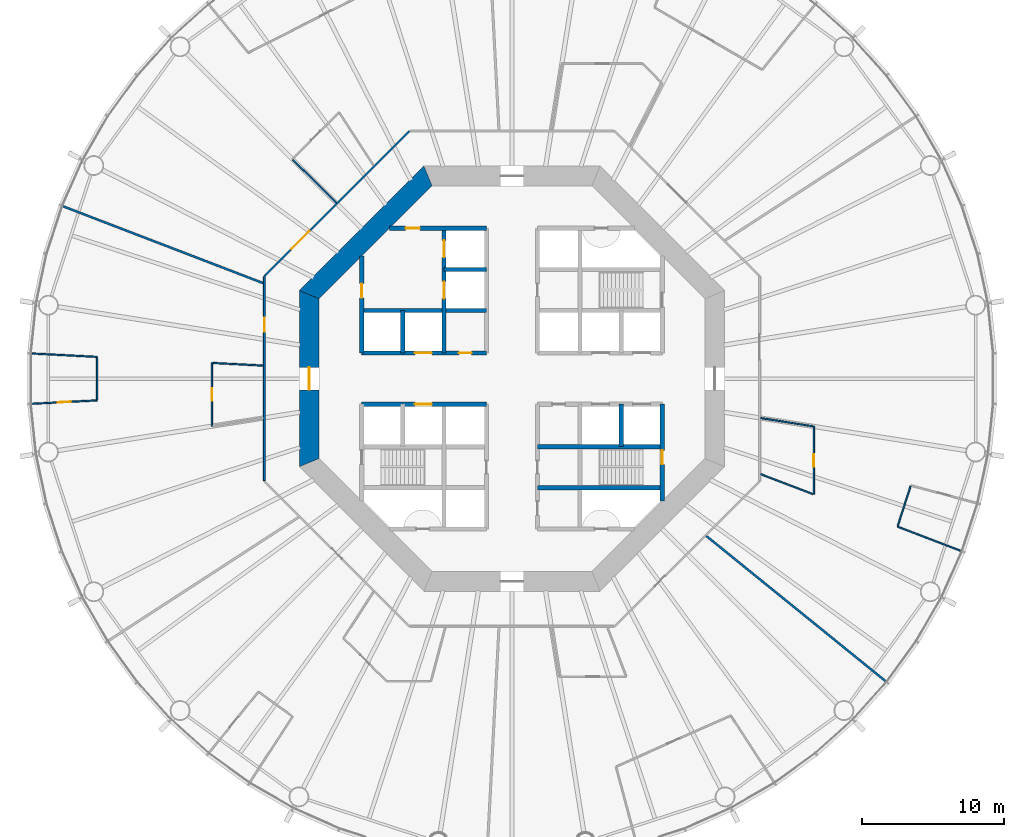
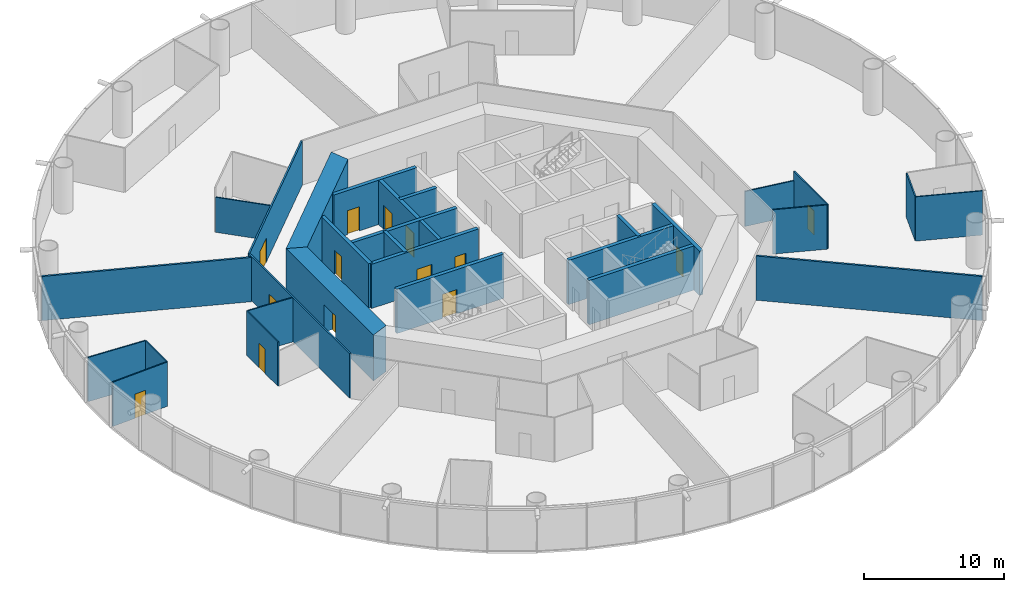
# One storey, part 4 of 13: 29 walls, 14 doors, 14 openings.
"""IFC4 building model written with IfcOpenShell, lengths in metres."""

from ifc_helpers import new_model, si_unit, direction, frame, frame_2d, origin, place, context, subcontext, project, spatial, polyline, rectangle, outline, extrude, material, layer, layer_set, type_object, element, fill, save


model = new_model("IFC4")

# Units and contexts
model_context = context("Model", 3, precision=1e-05, world=origin(), true_north=direction((0.0, 1.0)))
body_context = subcontext(model_context, "Body", "Model", "MODEL_VIEW")
ifc_project = project(units=[si_unit("LENGTHUNIT", "METRE"), si_unit("AREAUNIT", "SQUARE_METRE"), si_unit("VOLUMEUNIT", "CUBIC_METRE"), si_unit("PLANEANGLEUNIT", "RADIAN"), si_unit("MASSUNIT", "GRAM", prefix="KILO")], contexts=[model_context])

# Site, building, storey
site_placement = place(None, origin())
site = spatial("IfcSite", under=ifc_project, at=site_placement, CompositionType="ELEMENT")
building_placement = place(site_placement, origin())
building = spatial("IfcBuilding", under=site, at=building_placement, Name="Entoto Ring Tower", CompositionType="ELEMENT")
storey_placement = place(building_placement, frame((0.0, 0.0, 34.0)))
storey = spatial("IfcBuildingStorey", under=building, at=storey_placement, Name="L06", CompositionType="ELEMENT", Elevation=34.0)

# Wall, opening, door
ifc_material_1 = material(Name="Concrete C40/50", Category="concrete")
ifc_layer_1 = layer(ifc_material_1, 0.300048828125)
ifc_layer_set_1 = layer_set([ifc_layer_1], Name="Concrete C40/50")
wall_type_1 = type_object("IfcWallType", Name="Core enclosure wall 300 mm reinforced concrete", PredefinedType="SOLIDWALL", material=ifc_layer_set_1)
wall_1_placement = place(storey_placement, frame((100.60009765625, 71.36669921875, 0.0), z_axis=(0.0, 0.0, 1.0), x_axis=(0.0, 1.0, 0.0)))
wall_1 = element("IfcWall", 1, at=wall_1_placement, inside=storey, type_object=wall_type_1, Name="wall-L06-001", PredefinedType="SOLIDWALL", context=body_context, shape_type="SweptSolid", body=[
    extrude(rectangle(XDim=6.833251953125, YDim=0.300048828125, at=frame_2d((3.41650390625, 0.0))), origin(), (0.0, 0.0, 1.0), 3.85009765625),
])
opening_1_placement = place(wall_1_placement, frame((2.583251953125, 0.0, 0.0)))
opening_1 = element("IfcOpeningElement", 2, at=opening_1_placement, cuts=wall_1, Name="Opening K-61", PredefinedType="OPENING", context=body_context, shape_type="SweptSolid", body=[
    extrude(rectangle(XDim=1.0, YDim=2.10009765625, at=frame_2d((0.5, 1.050048828125))), frame((0.0, 0.16015625, 0.0), z_axis=(0.0, -1.0, 0.0), x_axis=(1.0, 0.0, 0.0)), (0.0, 0.0, 1.0), 0.320068359375),
])
ifc_material_2 = material(Name="Steel door leaf, fire rated", Category="steel")
ifc_layer_2 = layer(ifc_material_2, 0.050048828125)
ifc_layer_set_2 = layer_set([ifc_layer_2], Name="Steel door leaf, fire rated")
door_type_1 = type_object("IfcDoorType", Name="Fire door FD60 1000 x 2100 single leaf", OperationType="NOTDEFINED", PredefinedType="DOOR", material=ifc_layer_set_2)
door_1_placement = place(opening_1_placement, origin())
door_1 = element("IfcDoor", 3, at=door_1_placement, inside=storey, type_object=door_type_1, Name="Door K-61", OperationType="SINGLE_SWING_RIGHT", OverallHeight=2.10009765625, OverallWidth=1.0, PredefinedType="DOOR", context=body_context, shape_type="SweptSolid", body=[
    extrude(rectangle(XDim=1.0, YDim=2.10009765625, at=frame_2d((0.5, 1.050048828125))), frame((0.0, 0.02490234375, 0.0), z_axis=(0.0, -1.0, 0.0), x_axis=(1.0, 0.0, 0.0)), (0.0, 0.0, 1.0), 0.050048828125),
])
fill(opening_1, door_1)

# Wall
wall_2_placement = place(storey_placement, frame((97.699951171875, 75.199951171875, 0.0), z_axis=(0.0, 0.0, 1.0), x_axis=(0.0, 1.0, 0.0)))
element("IfcWall", 4, at=wall_2_placement, inside=storey, type_object=wall_type_1, Name="wall-L06-003", PredefinedType="SOLIDWALL", context=body_context, shape_type="SweptSolid", body=[
    extrude(rectangle(XDim=3.0, YDim=0.300048828125, at=frame_2d((1.5, 0.0))), origin(), (0.0, 0.0, 1.0), 3.85009765625),
])

# Wall, openings, doors
wall_3_placement = place(storey_placement, frame((85.199951171875, 81.800048828125, 0.0), z_axis=(0.0, 0.0, 1.0), x_axis=(0.0, 1.0, 0.0)))
wall_3 = element("IfcWall", 5, at=wall_3_placement, inside=storey, type_object=wall_type_1, Name="wall-L06-012", PredefinedType="SOLIDWALL", context=body_context, shape_type="SweptSolid", body=[
    extrude(rectangle(XDim=8.800048828125, YDim=0.300048828125, at=frame_2d((4.39990234375, 0.0))), origin(), (0.0, 0.0, 1.0), 3.85009765625),
])
opening_2_placement = place(wall_3_placement, frame((3.85009765625, 0.0, 0.0)))
opening_2 = element("IfcOpeningElement", 6, at=opening_2_placement, cuts=wall_3, Name="Opening LD", PredefinedType="OPENING", context=body_context, shape_type="SweptSolid", body=[
    extrude(rectangle(XDim=1.199951171875, YDim=2.10009765625, at=frame_2d((0.60009765625, 1.050048828125))), frame((0.0, 0.16015625, 0.0), z_axis=(0.0, -1.0, 0.0), x_axis=(1.0, 0.0, 0.0)), (0.0, 0.0, 1.0), 0.320068359375),
])
opening_3_placement = place(wall_3_placement, frame((6.75, 0.0, 0.0)))
opening_3 = element("IfcOpeningElement", 7, at=opening_3_placement, cuts=wall_3, Name="Opening LD", PredefinedType="OPENING", context=body_context, shape_type="SweptSolid", body=[
    extrude(rectangle(XDim=1.199951171875, YDim=2.10009765625, at=frame_2d((0.60009765625, 1.050048828125))), frame((0.0, 0.16015625, 0.0), z_axis=(0.0, -1.0, 0.0), x_axis=(1.0, 0.0, 0.0)), (0.0, 0.0, 1.0), 0.320068359375),
])
ifc_material_3 = material(Name="Steel and glass door leaf", Category="steel")
ifc_layer_3 = layer(ifc_material_3, 0.050048828125)
ifc_layer_set_3 = layer_set([ifc_layer_3], Name="Steel and glass door leaf")
door_type_2 = type_object("IfcDoorType", Name="Landing door 1200 x 2100 sliding", OperationType="DOUBLE_DOOR_SLIDING", PredefinedType="DOOR", material=ifc_layer_set_3)
door_2_placement = place(opening_2_placement, origin())
door_2 = element("IfcDoor", 8, at=door_2_placement, inside=storey, type_object=door_type_2, Name="Landing door FF1", OperationType="SLIDING_TO_RIGHT", OverallHeight=2.10009765625, OverallWidth=1.199951171875, PredefinedType="DOOR", context=body_context, shape_type="SweptSolid", body=[
    extrude(rectangle(XDim=1.199951171875, YDim=2.10009765625, at=frame_2d((0.60009765625, 1.050048828125))), frame((0.0, 0.02490234375, 0.0), z_axis=(0.0, -1.0, 0.0), x_axis=(1.0, 0.0, 0.0)), (0.0, 0.0, 1.0), 0.050048828125),
])
fill(opening_2, door_2)
door_3_placement = place(opening_3_placement, origin())
door_3 = element("IfcDoor", 9, at=door_3_placement, inside=storey, type_object=door_type_2, Name="Landing door FF2", OperationType="SLIDING_TO_RIGHT", OverallHeight=2.10009765625, OverallWidth=1.199951171875, PredefinedType="DOOR", context=body_context, shape_type="SweptSolid", body=[
    extrude(rectangle(XDim=1.199951171875, YDim=2.10009765625, at=frame_2d((0.60009765625, 1.050048828125))), frame((0.0, 0.02490234375, 0.0), z_axis=(0.0, -1.0, 0.0), x_axis=(1.0, 0.0, 0.0)), (0.0, 0.0, 1.0), 0.050048828125),
])
fill(opening_3, door_3)

# Wall
wall_4_placement = place(storey_placement, frame((82.300048828125, 81.800048828125, 0.0), z_axis=(0.0, 0.0, 1.0), x_axis=(0.0, 1.0, 0.0)))
element("IfcWall", 10, at=wall_4_placement, inside=storey, type_object=wall_type_1, Name="wall-L06-014", PredefinedType="SOLIDWALL", context=body_context, shape_type="SweptSolid", body=[
    extrude(rectangle(XDim=3.0, YDim=0.300048828125, at=frame_2d((1.5, 0.0))), origin(), (0.0, 0.0, 1.0), 3.85009765625),
])

# Wall, opening, door
wall_5_placement = place(storey_placement, frame((79.39990234375, 81.800048828125, 0.0), z_axis=(0.0, 0.0, 1.0), x_axis=(0.0, 1.0, 0.0)))
wall_5 = element("IfcWall", 11, at=wall_5_placement, inside=storey, type_object=wall_type_1, Name="wall-L06-016", PredefinedType="SOLIDWALL", context=body_context, shape_type="SweptSolid", body=[
    extrude(rectangle(XDim=6.833251953125, YDim=0.300048828125, at=frame_2d((3.41650390625, 0.0))), origin(), (0.0, 0.0, 1.0), 3.85009765625),
])
opening_4_placement = place(wall_5_placement, frame((3.89990234375, 0.0, 0.0)))
opening_4 = element("IfcOpeningElement", 12, at=opening_4_placement, cuts=wall_5, Name="Opening K-23", PredefinedType="OPENING", context=body_context, shape_type="SweptSolid", body=[
    extrude(rectangle(XDim=1.0, YDim=2.10009765625, at=frame_2d((0.5, 1.050048828125))), frame((0.0, 0.16015625, 0.0), z_axis=(0.0, -1.0, 0.0), x_axis=(1.0, 0.0, 0.0)), (0.0, 0.0, 1.0), 0.320068359375),
])
door_4_placement = place(opening_4_placement, frame((1.0, 0.0, 0.0), z_axis=(0.0, 0.0, 1.0), x_axis=(-1.0, 0.0, 0.0)))
door_4 = element("IfcDoor", 13, at=door_4_placement, inside=storey, type_object=door_type_1, Name="Door K-23", OperationType="SINGLE_SWING_LEFT", OverallHeight=2.10009765625, OverallWidth=1.0, PredefinedType="DOOR", context=body_context, shape_type="SweptSolid", body=[
    extrude(rectangle(XDim=1.0, YDim=2.10009765625, at=frame_2d((0.5, 1.050048828125))), frame((0.0, 0.02490234375, 0.0), z_axis=(0.0, -1.0, 0.0), x_axis=(1.0, 0.0, 0.0)), (0.0, 0.0, 1.0), 0.050048828125),
])
fill(opening_4, door_4)

# Walls
for number, where, z_axis, x_axis, name in (
    (14, (91.800048828125, 72.300048828125, 0.0), (0.0, 0.0, 1.0), (1.0, 0.0, 0.0), "wall-L06-020"),
    (15, (91.800048828125, 75.199951171875, 0.0), (0.0, 0.0, 1.0), (1.0, 0.0, 0.0), "wall-L06-022"),
):
    element("IfcWall", number, at=place(storey_placement, frame(where, z_axis=z_axis, x_axis=x_axis)), inside=storey, type_object=wall_type_1, Name=name, PredefinedType="SOLIDWALL", context=body_context, shape_type="SweptSolid", body=[
        extrude(rectangle(XDim=8.800048828125, YDim=0.300048828125, at=frame_2d((4.39990234375, 0.0))), origin(), (0.0, 0.0, 1.0), 3.85009765625),
    ])

# Wall, opening, door
wall_6_placement = place(storey_placement, frame((79.39990234375, 78.199951171875, 0.0), z_axis=(0.0, 0.0, 1.0), x_axis=(1.0, 0.0, 0.0)))
wall_6 = element("IfcWall", 16, at=wall_6_placement, inside=storey, type_object=wall_type_1, Name="wall-L06-023", PredefinedType="SOLIDWALL", context=body_context, shape_type="SweptSolid", body=[
    extrude(rectangle(XDim=8.800048828125, YDim=0.300048828125, at=frame_2d((4.39990234375, 0.0))), origin(), (0.0, 0.0, 1.0), 3.85009765625),
])
opening_5_placement = place(wall_6_placement, frame((3.75, 0.0, 0.0)))
opening_5 = element("IfcOpeningElement", 17, at=opening_5_placement, cuts=wall_6, Name="Opening LD", PredefinedType="OPENING", context=body_context, shape_type="SweptSolid", body=[
    extrude(rectangle(XDim=1.199951171875, YDim=2.10009765625, at=frame_2d((0.60009765625, 1.050048828125))), frame((0.0, 0.16015625, 0.0), z_axis=(0.0, -1.0, 0.0), x_axis=(1.0, 0.0, 0.0)), (0.0, 0.0, 1.0), 0.320068359375),
])
door_5_placement = place(opening_5_placement, origin())
door_5 = element("IfcDoor", 18, at=door_5_placement, inside=storey, type_object=door_type_2, Name="Landing door LB6-LR", OperationType="SLIDING_TO_RIGHT", OverallHeight=2.10009765625, OverallWidth=1.199951171875, PredefinedType="DOOR", context=body_context, shape_type="SweptSolid", body=[
    extrude(rectangle(XDim=1.199951171875, YDim=2.10009765625, at=frame_2d((0.60009765625, 1.050048828125))), frame((0.0, 0.02490234375, 0.0), z_axis=(0.0, -1.0, 0.0), x_axis=(1.0, 0.0, 0.0)), (0.0, 0.0, 1.0), 0.050048828125),
])
fill(opening_5, door_5)

# Wall, openings, doors
wall_7_placement = place(storey_placement, frame((79.39990234375, 81.800048828125, 0.0), z_axis=(0.0, 0.0, 1.0), x_axis=(1.0, 0.0, 0.0)))
wall_7 = element("IfcWall", 19, at=wall_7_placement, inside=storey, type_object=wall_type_1, Name="wall-L06-025", PredefinedType="SOLIDWALL", context=body_context, shape_type="SweptSolid", body=[
    extrude(rectangle(XDim=8.800048828125, YDim=0.300048828125, at=frame_2d((4.39990234375, 0.0))), origin(), (0.0, 0.0, 1.0), 3.85009765625),
])
opening_6_placement = place(wall_7_placement, frame((3.75, 0.0, 0.0)))
opening_6 = element("IfcOpeningElement", 20, at=opening_6_placement, cuts=wall_7, Name="Opening LD", PredefinedType="OPENING", context=body_context, shape_type="SweptSolid", body=[
    extrude(rectangle(XDim=1.199951171875, YDim=2.10009765625, at=frame_2d((0.60009765625, 1.050048828125))), frame((0.0, 0.16015625, 0.0), z_axis=(0.0, -1.0, 0.0), x_axis=(1.0, 0.0, 0.0)), (0.0, 0.0, 1.0), 0.320068359375),
])
opening_7_placement = place(wall_7_placement, frame((6.85009765625, 0.0, 0.0)))
opening_7 = element("IfcOpeningElement", 21, at=opening_7_placement, cuts=wall_7, Name="Opening K-15", PredefinedType="OPENING", context=body_context, shape_type="SweptSolid", body=[
    extrude(rectangle(XDim=0.89990234375, YDim=2.10009765625, at=frame_2d((0.449951171875, 1.050048828125))), frame((0.0, 0.16015625, 0.0), z_axis=(0.0, -1.0, 0.0), x_axis=(1.0, 0.0, 0.0)), (0.0, 0.0, 1.0), 0.320068359375),
])
ifc_material_4 = material(Name="Steel door leaf, fire rated", Category="steel")
ifc_layer_4 = layer(ifc_material_4, 0.050048828125)
ifc_layer_set_4 = layer_set([ifc_layer_4], Name="Steel door leaf, fire rated")
door_type_3 = type_object("IfcDoorType", Name="Core door 900 x 2100 single leaf", OperationType="NOTDEFINED", PredefinedType="DOOR", material=ifc_layer_set_4)
door_6_placement = place(opening_7_placement, frame((0.89990234375, 0.0, 0.0), z_axis=(0.0, 0.0, 1.0), x_axis=(-1.0, 0.0, 0.0)))
door_6 = element("IfcDoor", 22, at=door_6_placement, inside=storey, type_object=door_type_3, Name="Door K-15", OperationType="SINGLE_SWING_RIGHT", OverallHeight=2.10009765625, OverallWidth=0.89990234375, PredefinedType="DOOR", context=body_context, shape_type="SweptSolid", body=[
    extrude(rectangle(XDim=0.89990234375, YDim=2.10009765625, at=frame_2d((0.449951171875, 1.050048828125))), frame((0.0, 0.02490234375, 0.0), z_axis=(0.0, -1.0, 0.0), x_axis=(1.0, 0.0, 0.0)), (0.0, 0.0, 1.0), 0.050048828125),
])
fill(opening_7, door_6)
door_7_placement = place(opening_6_placement, origin())
door_7 = element("IfcDoor", 23, at=door_7_placement, inside=storey, type_object=door_type_2, Name="Landing door LB3-LR", OperationType="SLIDING_TO_RIGHT", OverallHeight=2.10009765625, OverallWidth=1.199951171875, PredefinedType="DOOR", context=body_context, shape_type="SweptSolid", body=[
    extrude(rectangle(XDim=1.199951171875, YDim=2.10009765625, at=frame_2d((0.60009765625, 1.050048828125))), frame((0.0, 0.02490234375, 0.0), z_axis=(0.0, -1.0, 0.0), x_axis=(1.0, 0.0, 0.0)), (0.0, 0.0, 1.0), 0.050048828125),
])
fill(opening_6, door_7)

# Walls
wall_8_placement = place(storey_placement, frame((79.39990234375, 84.800048828125, 0.0), z_axis=(0.0, 0.0, 1.0), x_axis=(1.0, 0.0, 0.0)))
element("IfcWall", 24, at=wall_8_placement, inside=storey, type_object=wall_type_1, Name="wall-L06-027", PredefinedType="SOLIDWALL", context=body_context, shape_type="SweptSolid", body=[
    extrude(rectangle(XDim=8.800048828125, YDim=0.300048828125, at=frame_2d((4.39990234375, 0.0))), origin(), (0.0, 0.0, 1.0), 3.85009765625),
])
wall_9_placement = place(storey_placement, frame((85.199951171875, 87.699951171875, 0.0), z_axis=(0.0, 0.0, 1.0), x_axis=(1.0, 0.0, 0.0)))
element("IfcWall", 25, at=wall_9_placement, inside=storey, type_object=wall_type_1, Name="wall-L06-029", PredefinedType="SOLIDWALL", context=body_context, shape_type="SweptSolid", body=[
    extrude(rectangle(XDim=3.0, YDim=0.300048828125, at=frame_2d((1.5, 0.0))), origin(), (0.0, 0.0, 1.0), 3.85009765625),
])

# Wall, opening, door
wall_10_placement = place(storey_placement, frame((81.36669921875, 90.60009765625, 0.0), z_axis=(0.0, 0.0, 1.0), x_axis=(1.0, 0.0, 0.0)))
wall_10 = element("IfcWall", 26, at=wall_10_placement, inside=storey, type_object=wall_type_1, Name="wall-L06-031", PredefinedType="SOLIDWALL", context=body_context, shape_type="SweptSolid", body=[
    extrude(rectangle(XDim=6.833251953125, YDim=0.300048828125, at=frame_2d((3.41650390625, 0.0))), origin(), (0.0, 0.0, 1.0), 3.85009765625),
])
opening_8_placement = place(wall_10_placement, frame((1.13330078125, 0.0, 0.0)))
opening_8 = element("IfcOpeningElement", 27, at=opening_8_placement, cuts=wall_10, Name="Opening K-73", PredefinedType="OPENING", context=body_context, shape_type="SweptSolid", body=[
    extrude(rectangle(XDim=1.0, YDim=2.10009765625, at=frame_2d((0.5, 1.050048828125))), frame((0.0, 0.16015625, 0.0), z_axis=(0.0, -1.0, 0.0), x_axis=(1.0, 0.0, 0.0)), (0.0, 0.0, 1.0), 0.320068359375),
])
door_8_placement = place(opening_8_placement, frame((1.0, 0.0, 0.0), z_axis=(0.0, 0.0, 1.0), x_axis=(-1.0, 0.0, 0.0)))
door_8 = element("IfcDoor", 28, at=door_8_placement, inside=storey, type_object=door_type_1, Name="Door K-73", OperationType="SINGLE_SWING_RIGHT", OverallHeight=2.10009765625, OverallWidth=1.0, PredefinedType="DOOR", context=body_context, shape_type="SweptSolid", body=[
    extrude(rectangle(XDim=1.0, YDim=2.10009765625, at=frame_2d((0.5, 1.050048828125))), frame((0.0, 0.02490234375, 0.0), z_axis=(0.0, -1.0, 0.0), x_axis=(1.0, 0.0, 0.0)), (0.0, 0.0, 1.0), 0.050048828125),
])
fill(opening_8, door_8)

# Wall
ifc_material_5 = material(Name="Concrete C60/75", Category="concrete")
ifc_layer_5 = layer(ifc_material_5, 1.39990234375)
ifc_layer_set_5 = layer_set([ifc_layer_5], Name="Concrete C60/75")
wall_type_2 = type_object("IfcWallType", Name="Core shear wall 1400 mm reinforced concrete C60/75", PredefinedType="SHEAR", material=ifc_layer_set_5)
wall_11_placement = place(storey_placement, frame((84.07666015625, 94.300048828125, 0.0), z_axis=(0.0, 0.0, 1.0), x_axis=(-0.707106781187, -0.707106781187, 0.0)))
element("IfcWall", 29, at=wall_11_placement, inside=storey, type_object=wall_type_2, Name="wall-L06-core-3", PredefinedType="SHEAR", context=body_context, shape_type="SweptSolid", body=[
    extrude(outline(polyline([(-0.2900390625, -0.699951171875), (12.136474609375, -0.699951171875), (11.556396484375, 0.699951171875), (0.2900390625, 0.699951171875), (-0.2900390625, -0.699951171875)])), origin(), (0.0, 0.0, 1.0), 4.0),
])

# Wall, opening, door
wall_12_placement = place(storey_placement, frame((75.699951171875, 85.92333984375, 0.0), z_axis=(0.0, 0.0, 1.0), x_axis=(0.0, -1.0, 0.0)))
wall_12 = element("IfcWall", 30, at=wall_12_placement, inside=storey, type_object=wall_type_2, Name="wall-L06-core-4", PredefinedType="SHEAR", context=body_context, shape_type="SweptSolid", body=[
    extrude(outline(polyline([(-0.2900390625, -0.699951171875), (12.13671875, -0.699951171875), (11.556640625, 0.699951171875), (0.2900390625, 0.699951171875), (-0.2900390625, -0.699951171875)])), origin(), (0.0, 0.0, 1.0), 4.0),
])
opening_9_placement = place(wall_12_placement, frame((5.123291015625, 0.0, 0.0)))
opening_9 = element("IfcOpeningElement", 31, at=opening_9_placement, cuts=wall_12, Name="Opening K-03", PredefinedType="OPENING", context=body_context, shape_type="SweptSolid", body=[
    extrude(rectangle(XDim=1.60009765625, YDim=2.39990234375, at=frame_2d((0.800048828125, 1.199951171875))), frame((0.0, 0.7099609375, 0.0), z_axis=(0.0, -1.0, 0.0), x_axis=(1.0, 0.0, 0.0)), (0.0, 0.0, 1.0), 1.419921875),
])
ifc_material_6 = material(Name="Steel door leaf, fire rated", Category="steel")
ifc_layer_6 = layer(ifc_material_6, 0.050048828125)
ifc_layer_set_6 = layer_set([ifc_layer_6], Name="Steel door leaf, fire rated")
door_type_4 = type_object("IfcDoorType", Name="Entrance door FD60 1600 x 2400 double leaf", OperationType="DOUBLE_DOOR_SINGLE_SWING", PredefinedType="DOOR", material=ifc_layer_set_6)
door_9_placement = place(opening_9_placement, origin())
door_9 = element("IfcDoor", 32, at=door_9_placement, inside=storey, type_object=door_type_4, Name="Entrance door K-03", OperationType="DOUBLE_DOOR_SINGLE_SWING", OverallHeight=2.39990234375, OverallWidth=1.60009765625, PredefinedType="DOOR", context=body_context, shape_type="SweptSolid", body=[
    extrude(rectangle(XDim=1.60009765625, YDim=2.39990234375, at=frame_2d((0.800048828125, 1.199951171875))), frame((0.0, 0.02490234375, 0.0), z_axis=(0.0, -1.0, 0.0), x_axis=(1.0, 0.0, 0.0)), (0.0, 0.0, 1.0), 0.050048828125),
])
fill(opening_9, door_9)

ifc_material_7 = material(Name="Fire-resisting plasterboard on steel studs", Category="steel")
ifc_layer_7 = layer(ifc_material_7, 0.125)
ifc_layer_set_7 = layer_set([ifc_layer_7], Name="Fire-resisting plasterboard on steel studs")
wall_type_3 = type_object("IfcWallType", Name="Corridor wall 125 mm one-hour plasterboard on steel studs", PredefinedType="PARTITIONING", material=ifc_layer_set_7)
wall_13_placement = place(storey_placement, frame((72.53759765625, 87.233154296875, 0.0), z_axis=(0.0, 0.0, 1.0), x_axis=(0.707106781187, 0.707106781187, 0.0)))
wall_13 = element("IfcWall", 33, at=wall_13_placement, inside=storey, type_object=wall_type_3, Name="partition-L06-001", PredefinedType="PARTITIONING", context=body_context, shape_type="SweptSolid", body=[
    extrude(rectangle(XDim=14.46630859375, YDim=0.125, at=frame_2d((7.233154296875, 0.0))), origin(), (0.0, 0.0, 1.0), 3.85009765625),
])
opening_10_placement = place(wall_13_placement, frame((2.716796875, 0.0, 0.0)))
opening_10 = element("IfcOpeningElement", 34, at=opening_10_placement, cuts=wall_13, Name="Opening A03-D13", PredefinedType="OPENING", context=body_context, shape_type="SweptSolid", body=[
    extrude(rectangle(XDim=1.800048828125, YDim=2.10009765625, at=frame_2d((0.89990234375, 1.050048828125))), frame((0.0, 0.072509765625, 0.0), z_axis=(0.0, -1.0, 0.0), x_axis=(1.0, 0.0, 0.0)), (0.0, 0.0, 1.0), 0.14501953125),
])
ifc_material_8 = material(Name="Fire-resisting timber door set", Category="wood")
door_type_5 = type_object("IfcDoorType", Name="Door 1800 x 2100 double leaf FD30S fire door", OperationType="DOUBLE_DOOR_SINGLE_SWING", PredefinedType="DOOR", material=ifc_material_8)
door_10_placement = place(opening_10_placement, origin())
door_10 = element("IfcDoor", 35, at=door_10_placement, inside=storey, type_object=door_type_5, Name="Door A03-D13", OperationType="DOUBLE_DOOR_SINGLE_SWING", OverallHeight=2.10009765625, OverallWidth=1.800048828125, PredefinedType="DOOR", context=body_context, shape_type="SweptSolid", body=[
    extrude(rectangle(XDim=1.800048828125, YDim=2.10009765625, at=frame_2d((0.89990234375, 1.050048828125))), frame((0.0, 0.02490234375, 0.0), z_axis=(0.0, -1.0, 0.0), x_axis=(1.0, 0.0, 0.0)), (0.0, 0.0, 1.0), 0.050048828125),
])
fill(opening_10, door_10)

wall_14_placement = place(storey_placement, frame((72.53759765625, 72.810791015625, 0.0), z_axis=(0.0, 0.0, 1.0), x_axis=(0.0, 1.0, 0.0)))
wall_14 = element("IfcWall", 36, at=wall_14_placement, inside=storey, type_object=wall_type_3, Name="partition-L06-005", PredefinedType="PARTITIONING", context=body_context, shape_type="SweptSolid", body=[
    extrude(rectangle(XDim=14.37841796875, YDim=0.125, at=frame_2d((7.189208984375, 0.0))), origin(), (0.0, 0.0, 1.0), 3.85009765625),
])
opening_11_placement = place(wall_14_placement, frame((10.498291015625, 0.0, 0.0)))
opening_11 = element("IfcOpeningElement", 37, at=opening_11_placement, cuts=wall_14, Name="Opening A03-D16", PredefinedType="OPENING", context=body_context, shape_type="SweptSolid", body=[
    extrude(rectangle(XDim=1.0, YDim=2.10009765625, at=frame_2d((0.5, 1.050048828125))), frame((0.0, 0.072509765625, 0.0), z_axis=(0.0, -1.0, 0.0), x_axis=(1.0, 0.0, 0.0)), (0.0, 0.0, 1.0), 0.14501953125),
])
ifc_material_9 = material(Name="Fire-resisting timber door set", Category="wood")
door_type_6 = type_object("IfcDoorType", Name="Door 1000 x 2100 single leaf FD30S fire door", OperationType="NOTDEFINED", PredefinedType="DOOR", material=ifc_material_9)
door_11_placement = place(opening_11_placement, origin())
door_11 = element("IfcDoor", 38, at=door_11_placement, inside=storey, type_object=door_type_6, Name="Door A03-D16", OperationType="SINGLE_SWING_LEFT", OverallHeight=2.10009765625, OverallWidth=1.0, PredefinedType="DOOR", context=body_context, shape_type="SweptSolid", body=[
    extrude(rectangle(XDim=1.0, YDim=2.10009765625, at=frame_2d((0.5, 1.050048828125))), frame((0.0, 0.02490234375, 0.0), z_axis=(0.0, -1.0, 0.0), x_axis=(1.0, 0.0, 0.0)), (0.0, 0.0, 1.0), 0.050048828125),
])
fill(opening_11, door_11)

# Wall
ifc_material_10 = material(Name="Plasterboard on steel studs", Category="steel")
ifc_layer_8 = layer(ifc_material_10, 0.10009765625)
ifc_layer_set_8 = layer_set([ifc_layer_8], Name="Plasterboard on steel studs")
wall_type_4 = type_object("IfcWallType", Name="Partition 100 mm plasterboard on steel studs", PredefinedType="PARTITIONING", material=ifc_layer_set_8)
wall_15_placement = place(storey_placement, frame((121.685791015625, 67.8369140625, 0.0), z_axis=(0.0, 0.0, 1.0), x_axis=(-0.933586897857, 0.358351090622, 0.0)))
element("IfcWall", 39, at=wall_15_placement, inside=storey, type_object=wall_type_4, Name="partition-L06-027", PredefinedType="PARTITIONING", context=body_context, shape_type="SweptSolid", body=[
    extrude(rectangle(XDim=4.820068359375, YDim=0.10009765625, at=frame_2d((2.41015625, 0.0))), origin(), (0.0, 0.0, 1.0), 3.85009765625),
])

# Wall, opening, door
wall_16_placement = place(storey_placement, frame((111.282470703125, 71.830322265625, 0.0), z_axis=(0.0, 0.0, 1.0), x_axis=(0.0, 1.0, 0.0)))
wall_16 = element("IfcWall", 40, at=wall_16_placement, inside=storey, type_object=wall_type_4, Name="partition-L06-029", PredefinedType="PARTITIONING", context=body_context, shape_type="SweptSolid", body=[
    extrude(rectangle(XDim=4.798828125, YDim=0.10009765625, at=frame_2d((2.3994140625, 0.0))), origin(), (0.0, 0.0, 1.0), 3.85009765625),
])
opening_12_placement = place(wall_16_placement, frame((1.949462890625, 0.0, 0.0)))
opening_12 = element("IfcOpeningElement", 41, at=opening_12_placement, cuts=wall_16, Name="Opening A03-D08", PredefinedType="OPENING", context=body_context, shape_type="SweptSolid", body=[
    extrude(rectangle(XDim=0.89990234375, YDim=2.10009765625, at=frame_2d((0.449951171875, 1.050048828125))), frame((0.0, 0.06005859375, 0.0), z_axis=(0.0, -1.0, 0.0), x_axis=(1.0, 0.0, 0.0)), (0.0, 0.0, 1.0), 0.1201171875),
])
ifc_material_11 = material(Name="Veneered timber door leaf in timber frame", Category="wood")
door_type_7 = type_object("IfcDoorType", Name="Door 900 x 2100 single leaf timber veneer", OperationType="NOTDEFINED", PredefinedType="DOOR", material=ifc_material_11)
door_12_placement = place(opening_12_placement, origin())
door_12 = element("IfcDoor", 42, at=door_12_placement, inside=storey, type_object=door_type_7, Name="Door A03-D08", OperationType="SINGLE_SWING_LEFT", OverallHeight=2.10009765625, OverallWidth=0.89990234375, PredefinedType="DOOR", context=body_context, shape_type="SweptSolid", body=[
    extrude(rectangle(XDim=0.89990234375, YDim=2.10009765625, at=frame_2d((0.449951171875, 1.050048828125))), frame((0.0, 0.02490234375, 0.0), z_axis=(0.0, -1.0, 0.0), x_axis=(1.0, 0.0, 0.0)), (0.0, 0.0, 1.0), 0.050048828125),
])
fill(opening_12, door_12)

wall_17_placement = place(storey_placement, frame((56.1064453125, 78.2236328125, 0.0), z_axis=(0.0, 0.0, 1.0), x_axis=(0.998628708708, 0.052351715762, 0.0)))
wall_17 = element("IfcWall", 43, at=wall_17_placement, inside=storey, type_object=wall_type_4, Name="partition-L06-032", PredefinedType="PARTITIONING", context=body_context, shape_type="SweptSolid", body=[
    extrude(rectangle(XDim=4.64013671875, YDim=0.10009765625, at=frame_2d((2.320068359375, 0.0))), origin(), (0.0, 0.0, 1.0), 3.85009765625),
])
opening_13_placement = place(wall_17_placement, frame((1.8701171875, 0.0, 0.0)))
opening_13 = element("IfcOpeningElement", 44, at=opening_13_placement, cuts=wall_17, Name="Opening A03-D18", PredefinedType="OPENING", context=body_context, shape_type="SweptSolid", body=[
    extrude(rectangle(XDim=0.89990234375, YDim=2.10009765625, at=frame_2d((0.449951171875, 1.050048828125))), frame((0.0, 0.06005859375, 0.0), z_axis=(0.0, -1.0, 0.0), x_axis=(1.0, 0.0, 0.0)), (0.0, 0.0, 1.0), 0.1201171875),
])
door_13_placement = place(opening_13_placement, origin())
door_13 = element("IfcDoor", 45, at=door_13_placement, inside=storey, type_object=door_type_7, Name="Door A03-D18", OperationType="SINGLE_SWING_LEFT", OverallHeight=2.10009765625, OverallWidth=0.89990234375, PredefinedType="DOOR", context=body_context, shape_type="SweptSolid", body=[
    extrude(rectangle(XDim=0.89990234375, YDim=2.10009765625, at=frame_2d((0.449951171875, 1.050048828125))), frame((0.0, 0.02490234375, 0.0), z_axis=(0.0, -1.0, 0.0), x_axis=(1.0, 0.0, 0.0)), (0.0, 0.0, 1.0), 0.050048828125),
])
fill(opening_13, door_13)

# Wall
wall_18_placement = place(storey_placement, frame((60.740234375, 81.533447265625, 0.0), z_axis=(0.0, 0.0, 1.0), x_axis=(-0.998628708708, 0.052351715762, 0.0)))
element("IfcWall", 46, at=wall_18_placement, inside=storey, type_object=wall_type_4, Name="partition-L06-033", PredefinedType="PARTITIONING", context=body_context, shape_type="SweptSolid", body=[
    extrude(rectangle(XDim=4.64013671875, YDim=0.10009765625, at=frame_2d((2.320068359375, 0.0))), origin(), (0.0, 0.0, 1.0), 3.85009765625),
])

# Wall, opening, door
wall_19_placement = place(storey_placement, frame((68.83740234375, 76.648193359375, 0.0), z_axis=(0.0, 0.0, 1.0), x_axis=(0.0, 1.0, 0.0)))
wall_19 = element("IfcWall", 47, at=wall_19_placement, inside=storey, type_object=wall_type_4, Name="partition-L06-035", PredefinedType="PARTITIONING", context=body_context, shape_type="SweptSolid", body=[
    extrude(rectangle(XDim=4.4609375, YDim=0.10009765625, at=frame_2d((2.23046875, 0.0))), origin(), (0.0, 0.0, 1.0), 3.85009765625),
])
opening_14_placement = place(wall_19_placement, frame((1.780517578125, 0.0, 0.0)))
opening_14 = element("IfcOpeningElement", 48, at=opening_14_placement, cuts=wall_19, Name="Opening A03-D17", PredefinedType="OPENING", context=body_context, shape_type="SweptSolid", body=[
    extrude(rectangle(XDim=0.89990234375, YDim=2.10009765625, at=frame_2d((0.449951171875, 1.050048828125))), frame((0.0, 0.06005859375, 0.0), z_axis=(0.0, -1.0, 0.0), x_axis=(1.0, 0.0, 0.0)), (0.0, 0.0, 1.0), 0.1201171875),
])
door_14_placement = place(opening_14_placement, frame((0.89990234375, 0.0, 0.0), z_axis=(0.0, 0.0, 1.0), x_axis=(-1.0, 0.0, 0.0)))
door_14 = element("IfcDoor", 49, at=door_14_placement, inside=storey, type_object=door_type_7, Name="Door A03-D17", OperationType="SINGLE_SWING_RIGHT", OverallHeight=2.10009765625, OverallWidth=0.89990234375, PredefinedType="DOOR", context=body_context, shape_type="SweptSolid", body=[
    extrude(rectangle(XDim=0.89990234375, YDim=2.10009765625, at=frame_2d((0.449951171875, 1.050048828125))), frame((0.0, 0.02490234375, 0.0), z_axis=(0.0, -1.0, 0.0), x_axis=(1.0, 0.0, 0.0)), (0.0, 0.0, 1.0), 0.050048828125),
])
fill(opening_14, door_14)

# Walls
wall_20_placement = place(storey_placement, frame((111.214599609375, 71.8564453125, 0.0), z_axis=(0.0, 0.0, 1.0), x_axis=(-0.933566202027, 0.358405003358, 0.0)))
element("IfcWall", 50, at=wall_20_placement, inside=storey, type_object=wall_type_4, Name="partition-L06-040", PredefinedType="PARTITIONING", context=body_context, shape_type="SweptSolid", body=[
    extrude(rectangle(XDim=3.93310546875, YDim=0.10009765625, at=frame_2d((1.966552734375, 0.0))), origin(), (0.0, 0.0, 1.0), 3.85009765625),
])
wall_21_placement = place(storey_placement, frame((72.472412109375, 80.918701171875, 0.0), z_axis=(0.0, 0.0, 1.0), x_axis=(-0.998633016136, 0.052269485204, 0.0)))
element("IfcWall", 51, at=wall_21_placement, inside=storey, type_object=wall_type_4, Name="partition-L06-046", PredefinedType="PARTITIONING", context=body_context, shape_type="SweptSolid", body=[
    extrude(rectangle(XDim=3.587158203125, YDim=0.10009765625, at=frame_2d((1.79345703125, 0.0))), origin(), (0.0, 0.0, 1.0), 3.85009765625),
])
wall_22_placement = place(storey_placement, frame((60.740234375, 78.5166015625, 0.0), z_axis=(0.0, 0.0, 1.0), x_axis=(0.0, 1.0, 0.0)))
element("IfcWall", 52, at=wall_22_placement, inside=storey, type_object=wall_type_4, Name="partition-L06-049", PredefinedType="PARTITIONING", context=body_context, shape_type="SweptSolid", body=[
    extrude(rectangle(XDim=2.966796875, YDim=0.10009765625, at=frame_2d((1.4833984375, 0.0))), origin(), (0.0, 0.0, 1.0), 3.85009765625),
])
wall_23_placement = place(storey_placement, frame((117.201416015625, 69.61181640625, 0.0), z_axis=(0.0, 0.0, 1.0), x_axis=(0.308964359137, 0.95107361691, 0.0)))
element("IfcWall", 53, at=wall_23_placement, inside=storey, type_object=wall_type_4, Name="partition-L06-050", PredefinedType="PARTITIONING", context=body_context, shape_type="SweptSolid", body=[
    extrude(rectangle(XDim=2.9482421875, YDim=0.10009765625, at=frame_2d((1.47412109375, 0.0))), origin(), (0.0, 0.0, 1.0), 3.85009765625),
])
ifc_material_12 = material(Name="Plasterboard on steel studs", Category="steel")
ifc_layer_9 = layer(ifc_material_12, 0.10009765625)
ifc_layer_set_9 = layer_set([ifc_layer_9], Name="Plasterboard on steel studs")
wall_type_5 = type_object("IfcWallType", Name="Partition 100 mm plasterboard on steel studs, 3050 mm high", PredefinedType="PARTITIONING", material=ifc_layer_set_9)
wall_24_placement = place(storey_placement, frame((77.60791015625, 92.39208984375, 0.0), z_axis=(0.0, 0.0, 1.0), x_axis=(-0.707106781187, 0.707106781187, 0.0)))
element("IfcWall", 54, at=wall_24_placement, inside=storey, type_object=wall_type_5, Name="partition-L06-036", PredefinedType="PARTITIONING", context=body_context, shape_type="SweptSolid", body=[
    extrude(rectangle(XDim=4.3271484375, YDim=0.10009765625, at=frame_2d((2.16357421875, 0.0))), origin(), (0.0, 0.0, 1.0), 3.050048828125),
])
wall_25_placement = place(storey_placement, frame((111.23388671875, 76.636962890625, 0.0), z_axis=(0.0, 0.0, 1.0), x_axis=(-0.987689428902, 0.156427593588, 0.0)))
element("IfcWall", 55, at=wall_25_placement, inside=storey, type_object=wall_type_5, Name="partition-L06-043", PredefinedType="PARTITIONING", context=body_context, shape_type="SweptSolid", body=[
    extrude(rectangle(XDim=3.747314453125, YDim=0.10009765625, at=frame_2d((1.87353515625, 0.0))), origin(), (0.0, 0.0, 1.0), 3.050048828125),
])
ifc_material_13 = material(Name="Fire-resisting acoustic plasterboard on steel studs", Category="steel")
ifc_layer_10 = layer(ifc_material_13, 0.14990234375)
ifc_layer_set_10 = layer_set([ifc_layer_10], Name="Fire-resisting acoustic plasterboard on steel studs")
wall_type_6 = type_object("IfcWallType", Name="Party wall 150 mm one-hour acoustic plasterboard on steel studs", PredefinedType="PARTITIONING", material=ifc_layer_set_10)
wall_26_placement = place(storey_placement, frame((116.376220703125, 58.640869140625, 0.0), z_axis=(0.0, 0.0, 1.0), x_axis=(-0.777139938165, 0.629327829123, 0.0)))
element("IfcWall", 56, at=wall_26_placement, inside=storey, type_object=wall_type_6, Name="partition-L06-011", PredefinedType="PARTITIONING", context=body_context, shape_type="SweptSolid", body=[
    extrude(rectangle(XDim=16.310546875, YDim=0.14990234375, at=frame_2d((8.1552734375, 0.0))), origin(), (0.0, 0.0, 1.0), 3.85009765625),
])
wall_27_placement = place(storey_placement, frame((72.4482421875, 86.737548828125, 0.0), z_axis=(0.0, 0.0, 1.0), x_axis=(-0.933580645435, 0.358367379191, 0.0)))
element("IfcWall", 57, at=wall_27_placement, inside=storey, type_object=wall_type_6, Name="partition-L06-014", PredefinedType="PARTITIONING", context=body_context, shape_type="SweptSolid", body=[
    extrude(rectangle(XDim=15.1396484375, YDim=0.14990234375, at=frame_2d((7.56982421875, 0.0))), origin(), (0.0, 0.0, 1.0), 3.85009765625),
])

save(model, "model.ifc")
